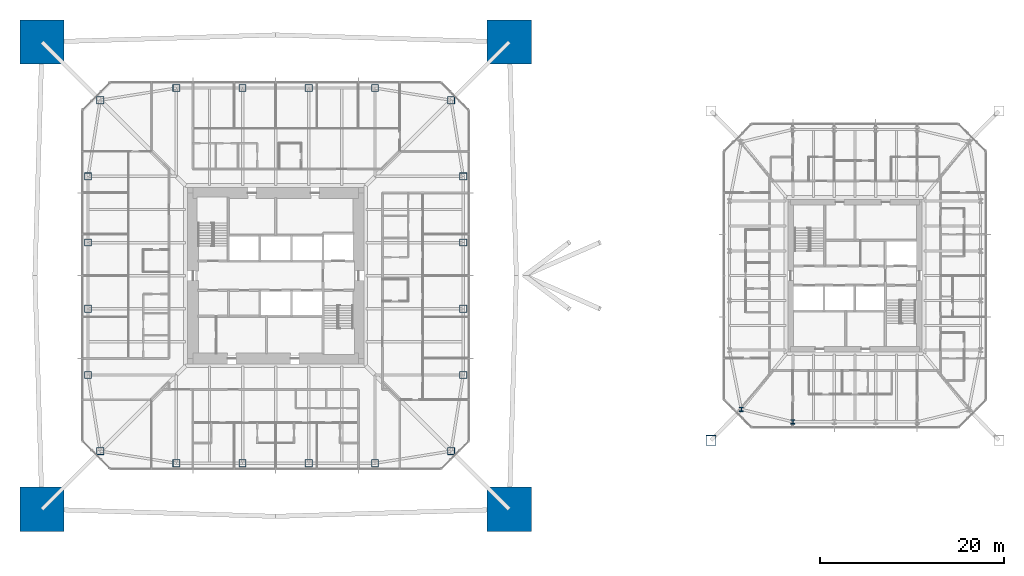
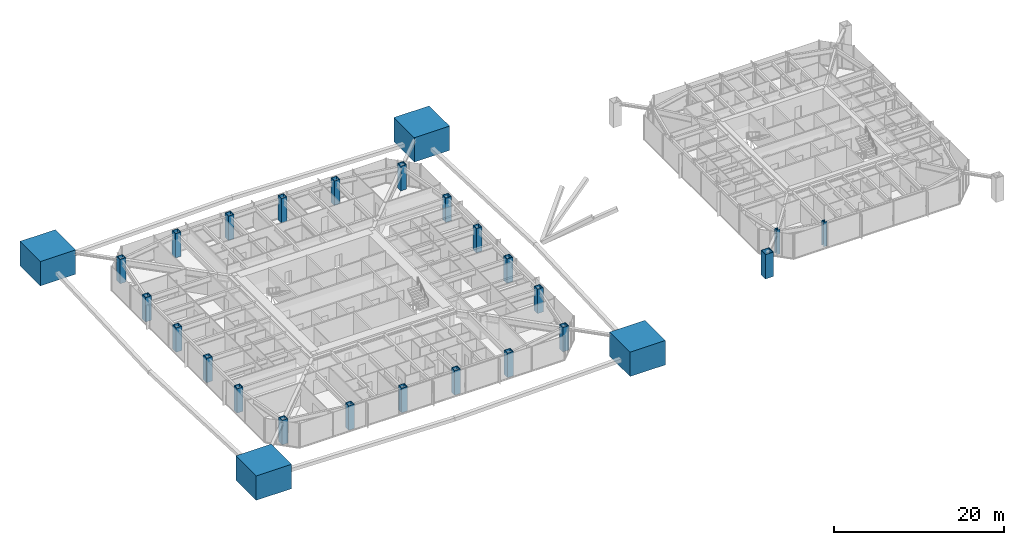
# One storey, part 1 of 27: 27 columns.
"""IFC4 building model written with IfcOpenShell, lengths in metres."""

from ifc_helpers import new_model, si_unit, direction, frame, origin, origin_2d, place, context, subcontext, project, spatial, rectangle, hollow_rectangle, i_section, extrude, material, material_profile, profile_set, type_object, element, save


model = new_model("IFC4")

# Units and contexts
model_context = context("Model", 3, precision=1e-05, world=origin(), true_north=direction((0.0, 1.0)))
body_context = subcontext(model_context, "Body", "Model", "MODEL_VIEW")
ifc_project = project(units=[si_unit("LENGTHUNIT", "METRE"), si_unit("AREAUNIT", "SQUARE_METRE"), si_unit("VOLUMEUNIT", "CUBIC_METRE"), si_unit("PLANEANGLEUNIT", "RADIAN"), si_unit("MASSUNIT", "GRAM", prefix="KILO")], contexts=[model_context])

# Site, building, storey
site_placement = place(None, origin())
site = spatial("IfcSite", under=ifc_project, at=site_placement, CompositionType="ELEMENT")
building_placement = place(site_placement, origin())
building = spatial("IfcBuilding", under=site, at=building_placement, Name="Iwan Alto Co-Living Towers", CompositionType="ELEMENT")
storey_placement = place(building_placement, frame((0.0, 0.0, 91.0)))
storey = spatial("IfcBuildingStorey", under=building, at=storey_placement, Name="L24", CompositionType="ELEMENT", Elevation=91.0)

# Columns
ifc_material_1 = material(Name="Concrete f'c 70 MPa", Category="concrete")
ifc_material_profile_1 = material_profile(ifc_material_1, rectangle(XDim=4.800048828125, YDim=4.800048828125, at=origin_2d()), Name="RC 4800X4800")
ifc_profile_set_1 = profile_set([ifc_material_profile_1], Name="Concrete f'c 70 MPa")
column_type_1 = type_object("IfcColumnType", Name="T1 MEGA COLUMN RC 4800X4800", PredefinedType="COLUMN", material=ifc_profile_set_1)
for number, where, z_axis, x_axis, name in (
    (1, (-25.39990234375, -25.39990234375, 0.0), (0.0, 0.0, 1.0), (1.0, 0.0, 0.0), "T1 mega column SW L24"),
    (2, (25.39990234375, -25.39990234375, 0.0), (0.0, 0.0, 1.0), (1.0, 0.0, 0.0), "T1 mega column SE L24"),
    (3, (25.39990234375, 25.39990234375, 0.0), (0.0, 0.0, 1.0), (1.0, 0.0, 0.0), "T1 mega column NE L24"),
    (4, (-25.39990234375, 25.39990234375, 0.0), (0.0, 0.0, 1.0), (1.0, 0.0, 0.0), "T1 mega column NW L24"),
):
    element("IfcColumn", number, at=place(storey_placement, frame(where, z_axis=z_axis, x_axis=x_axis)), inside=storey, type_object=column_type_1, Name=name, PredefinedType="COLUMN", context=body_context, shape_type="SweptSolid", body=[
        extrude(rectangle(XDim=4.800048828125, YDim=4.800048828125, at=origin_2d()), origin(), (0.0, 0.0, 1.0), 3.5),
        extrude(i_section(OverallWidth=0.4775390625, OverallDepth=0.599365234375, WebThickness=0.10009765625, FlangeThickness=0.139892578125, at=origin_2d()), origin(), (0.0, 0.0, 1.0), 3.5),
    ])
ifc_material_2 = material(Name="Steel ASTM A572 Gr 50", Category="steel")
ifc_material_profile_2 = material_profile(ifc_material_2, hollow_rectangle(XDim=0.800048828125, YDim=0.800048828125, WallThickness=0.070068359375, at=origin_2d()), Name="BOX 800X800X70")
ifc_profile_set_2 = profile_set([ifc_material_profile_2], Name="Steel ASTM A572 Gr 50")
column_type_2 = type_object("IfcColumnType", Name="T1 RING COLUMN BOX 800X800X70", PredefinedType="COLUMN", material=ifc_profile_set_2)
for number, where, z_axis, x_axis, name in (
    (5, (-19.07568359375, -19.07568359375, 0.0), (0.0, 0.0, 1.0), (1.0, 0.0, 0.0), "T1 ring column CSW L24"),
    (6, (-10.800048828125, -20.39990234375, 0.0), (0.0, 0.0, 1.0), (1.0, 0.0, 0.0), "T1 ring column S1 L24"),
    (7, (-3.60009765625, -20.39990234375, 0.0), (0.0, 0.0, 1.0), (1.0, 0.0, 0.0), "T1 ring column S2 L24"),
    (8, (3.60009765625, -20.39990234375, 0.0), (0.0, 0.0, 1.0), (1.0, 0.0, 0.0), "T1 ring column S3 L24"),
    (9, (10.800048828125, -20.39990234375, 0.0), (0.0, 0.0, 1.0), (1.0, 0.0, 0.0), "T1 ring column S4 L24"),
    (10, (19.07568359375, -19.07568359375, 0.0), (0.0, 0.0, 1.0), (1.0, 0.0, 0.0), "T1 ring column CSE L24"),
    (11, (20.39990234375, -10.800048828125, 0.0), (0.0, 0.0, 1.0), (1.0, 0.0, 0.0), "T1 ring column E1 L24"),
    (12, (20.39990234375, -3.60009765625, 0.0), (0.0, 0.0, 1.0), (1.0, 0.0, 0.0), "T1 ring column E2 L24"),
    (13, (20.39990234375, 3.60009765625, 0.0), (0.0, 0.0, 1.0), (1.0, 0.0, 0.0), "T1 ring column E3 L24"),
    (14, (20.39990234375, 10.800048828125, 0.0), (0.0, 0.0, 1.0), (1.0, 0.0, 0.0), "T1 ring column E4 L24"),
    (15, (19.07568359375, 19.07568359375, 0.0), (0.0, 0.0, 1.0), (1.0, 0.0, 0.0), "T1 ring column CNE L24"),
    (16, (10.800048828125, 20.39990234375, 0.0), (0.0, 0.0, 1.0), (1.0, 0.0, 0.0), "T1 ring column N1 L24"),
    (17, (3.60009765625, 20.39990234375, 0.0), (0.0, 0.0, 1.0), (1.0, 0.0, 0.0), "T1 ring column N2 L24"),
    (18, (-3.60009765625, 20.39990234375, 0.0), (0.0, 0.0, 1.0), (1.0, 0.0, 0.0), "T1 ring column N3 L24"),
    (19, (-10.800048828125, 20.39990234375, 0.0), (0.0, 0.0, 1.0), (1.0, 0.0, 0.0), "T1 ring column N4 L24"),
    (20, (-19.07568359375, 19.07568359375, 0.0), (0.0, 0.0, 1.0), (1.0, 0.0, 0.0), "T1 ring column CNW L24"),
    (21, (-20.39990234375, 10.800048828125, 0.0), (0.0, 0.0, 1.0), (1.0, 0.0, 0.0), "T1 ring column W1 L24"),
    (22, (-20.39990234375, 3.60009765625, 0.0), (0.0, 0.0, 1.0), (1.0, 0.0, 0.0), "T1 ring column W2 L24"),
    (23, (-20.39990234375, -3.60009765625, 0.0), (0.0, 0.0, 1.0), (1.0, 0.0, 0.0), "T1 ring column W3 L24"),
    (24, (-20.39990234375, -10.800048828125, 0.0), (0.0, 0.0, 1.0), (1.0, 0.0, 0.0), "T1 ring column W4 L24"),
):
    element("IfcColumn", number, at=place(storey_placement, frame(where, z_axis=z_axis, x_axis=x_axis)), inside=storey, type_object=column_type_2, Name=name, PredefinedType="COLUMN", context=body_context, shape_type="SweptSolid", body=[
        extrude(hollow_rectangle(XDim=0.800048828125, YDim=0.800048828125, WallThickness=0.070068359375, at=origin_2d()), origin(), (0.0, 0.0, 1.0), 3.5),
    ])
ifc_material_3 = material(Name="Steel ASTM A572 Gr 50", Category="steel")
ifc_material_profile_3 = material_profile(ifc_material_3, hollow_rectangle(XDim=1.10009765625, YDim=1.10009765625, WallThickness=0.06005859375, at=origin_2d()), Name="BOX 1100X1100X60")
ifc_profile_set_3 = profile_set([ifc_material_profile_3], Name="Steel ASTM A572 Gr 50")
column_type_3 = type_object("IfcColumnType", Name="T2 MEGA COLUMN BOX 1100X1100X60", PredefinedType="COLUMN", material=ifc_profile_set_3)
column_placement = place(storey_placement, frame((47.35009765625, -17.89990234375, 0.0), z_axis=(0.0, 0.0, 1.0), x_axis=(1.0, 0.0, 0.0)))
element("IfcColumn", 25, at=column_placement, inside=storey, type_object=column_type_3, Name="T2 mega column SW L24", PredefinedType="COLUMN", context=body_context, shape_type="SweptSolid", body=[
    extrude(hollow_rectangle(XDim=1.10009765625, YDim=1.10009765625, WallThickness=0.06005859375, at=origin_2d()), origin(), (0.0, 0.0, 1.0), 3.5),
])
ifc_material_4 = material(Name="Steel ASTM A992 Gr 50", Category="steel")
ifc_material_profile_4 = material_profile(ifc_material_4, i_section(OverallWidth=0.4267578125, OverallDepth=0.482666015625, WebThickness=0.05126953125, FlangeThickness=0.08154296875, at=origin_2d()), Name="W14X455")
ifc_profile_set_4 = profile_set([ifc_material_profile_4], Name="Steel ASTM A992 Gr 50")
column_type_4 = type_object("IfcColumnType", Name="T2 RING COLUMN W14X455", PredefinedType="COLUMN", material=ifc_profile_set_4)
for number, where, z_axis, x_axis, name in (
    (26, (50.638671875, -14.542724609375, 0.0), (0.0, 0.0, 1.0), (1.0, 0.0, 0.0), "T2 ring column CSW L24"),
    (27, (56.25, -15.89990234375, 0.0), (0.0, 0.0, 1.0), (1.0, 0.0, 0.0), "T2 ring column S1 L24"),
):
    element("IfcColumn", number, at=place(storey_placement, frame(where, z_axis=z_axis, x_axis=x_axis)), inside=storey, type_object=column_type_4, Name=name, PredefinedType="COLUMN", context=body_context, shape_type="SweptSolid", body=[
        extrude(i_section(OverallWidth=0.4267578125, OverallDepth=0.482666015625, WebThickness=0.05126953125, FlangeThickness=0.08154296875, at=origin_2d()), origin(), (0.0, 0.0, 1.0), 3.5),
    ])

save(model, "model.ifc")
